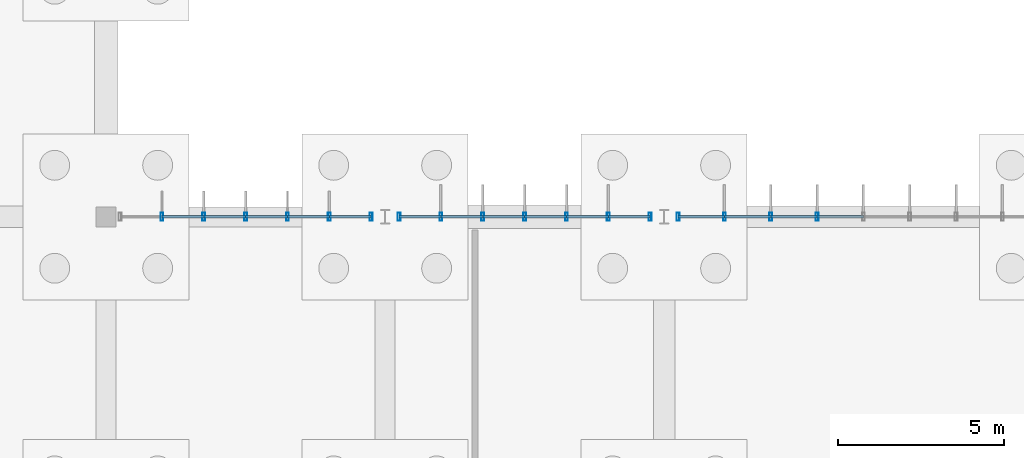
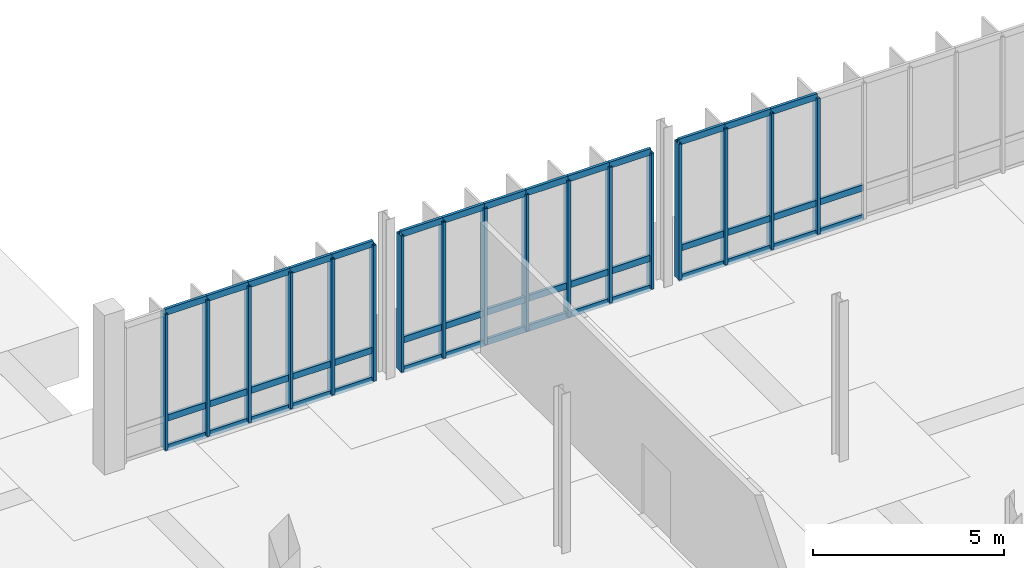
# One storey, part 62 of 119: 61 members, 3 elements without a shape of their own.
"""IFC4 building model written with IfcOpenShell, lengths in metres."""

from ifc_helpers import new_model, si_unit, derived_unit, direction, frame, origin, origin_2d, place, context, subcontext, project, spatial, hollow_rectangle, extrude, material, layer, layer_set, material_profile, profile_set, type_object, element, aggregate, save


model = new_model("IFC4")

# Units and contexts
model_context = context("Model", 3, precision=1e-05, world=origin(), true_north=direction((0.0, 1.0)))
body_context = subcontext(model_context, "Body", "Model", "MODEL_VIEW")
ifc_project = project(units=[si_unit("LENGTHUNIT", "METRE"), si_unit("AREAUNIT", "SQUARE_METRE"), si_unit("VOLUMEUNIT", "CUBIC_METRE"), si_unit("PLANEANGLEUNIT", "RADIAN"), si_unit("MASSUNIT", "GRAM", prefix="KILO"), derived_unit("THERMALTRANSMITTANCEUNIT", [(si_unit("MASSUNIT", "GRAM", prefix="KILO"), 1), (si_unit("TIMEUNIT", "SECOND"), -3), (si_unit("THERMODYNAMICTEMPERATUREUNIT", "KELVIN"), -1)])], contexts=[model_context])

# Site, building, storey
site_placement = place(None, origin())
site = spatial("IfcSite", under=ifc_project, at=site_placement, CompositionType="ELEMENT")
building_placement = place(site_placement, origin())
building = spatial("IfcBuilding", under=site, at=building_placement, Name="Makaiwela Harbour Ferry Terminal", CompositionType="ELEMENT")
storey_placement = place(building_placement, origin())
storey = spatial("IfcBuildingStorey", under=building, at=storey_placement, Name="L00", CompositionType="ELEMENT", Elevation=0.0)

# Curtain wall, members
ifc_material = material(Name="Marine anodised aluminium 6063-T6", Category="aluminium")
ifc_layer_1 = layer(ifc_material, 0.199951171875)
ifc_layer_set_1 = layer_set([ifc_layer_1], Name="Marine anodised aluminium 6063-T6")
curtain_wall_type_1 = type_object("IfcCurtainWallType", Name="ENV-CW-10", PredefinedType="USERDEFINED", material=ifc_layer_set_1)
curtain_wall_1_placement = place(storey_placement, origin())
curtain_wall_1 = element("IfcCurtainWall", 1, at=curtain_wall_1_placement, inside=storey, type_object=curtain_wall_type_1, Name="Unitised Curtain Wall CWA-120", ObjectType="UNITIZED CURTAIN WALL", PredefinedType="USERDEFINED")
ifc_material_profile_1 = material_profile(ifc_material, hollow_rectangle(XDim=0.0849609375, YDim=0.25, WallThickness=0.0048828125, at=origin_2d()), Name="CWM-250X85")
ifc_profile_set_1 = profile_set([ifc_material_profile_1], Name="Marine anodised aluminium 6063-T6")
member_type_1 = type_object("IfcMemberType", Name="CW-MUL-250", PredefinedType="MULLION", material=ifc_profile_set_1)
member_1_placement = place(storey_placement, frame((140.280029296875, 95.0, 0.0), z_axis=(0.0, 0.0, 1.0), x_axis=(1.0, 0.0, 0.0)))
member_1 = element("IfcMember", 2, at=member_1_placement, type_object=member_type_1, Name="Curtain Wall Mullion CWA-120-2", PredefinedType="MULLION", context=body_context, shape_type="SweptSolid", body=[
    extrude(hollow_rectangle(XDim=0.0849609375, YDim=0.25, WallThickness=0.0048828125, at=origin_2d()), origin(), (0.0, 0.0, 1.0), 4.35009765625),
])
member_2_placement = place(storey_placement, frame((141.5400390625, 95.0, 0.0), z_axis=(0.0, 0.0, 1.0), x_axis=(1.0, 0.0, 0.0)))
member_2 = element("IfcMember", 3, at=member_2_placement, type_object=member_type_1, Name="Curtain Wall Mullion CWA-120-3", PredefinedType="MULLION", context=body_context, shape_type="SweptSolid", body=[
    extrude(hollow_rectangle(XDim=0.0849609375, YDim=0.25, WallThickness=0.0048828125, at=origin_2d()), origin(), (0.0, 0.0, 1.0), 4.35009765625),
])
member_3_placement = place(storey_placement, frame((142.800048828125, 95.0, 0.0), z_axis=(0.0, 0.0, 1.0), x_axis=(1.0, 0.0, 0.0)))
member_3 = element("IfcMember", 4, at=member_3_placement, type_object=member_type_1, Name="Curtain Wall Mullion CWA-120-4", PredefinedType="MULLION", context=body_context, shape_type="SweptSolid", body=[
    extrude(hollow_rectangle(XDim=0.0849609375, YDim=0.25, WallThickness=0.0048828125, at=origin_2d()), origin(), (0.0, 0.0, 1.0), 4.35009765625),
])
member_4_placement = place(storey_placement, frame((144.06005859375, 95.0, 0.0), z_axis=(0.0, 0.0, 1.0), x_axis=(1.0, 0.0, 0.0)))
member_4 = element("IfcMember", 5, at=member_4_placement, type_object=member_type_1, Name="Curtain Wall Mullion CWA-120-5", PredefinedType="MULLION", context=body_context, shape_type="SweptSolid", body=[
    extrude(hollow_rectangle(XDim=0.0849609375, YDim=0.25, WallThickness=0.0048828125, at=origin_2d()), origin(), (0.0, 0.0, 1.0), 4.35009765625),
])
member_5_placement = place(storey_placement, frame((145.320068359375, 95.0, 0.0), z_axis=(0.0, 0.0, 1.0), x_axis=(1.0, 0.0, 0.0)))
member_5 = element("IfcMember", 6, at=member_5_placement, type_object=member_type_1, Name="Curtain Wall Mullion CWA-120-6", PredefinedType="MULLION", context=body_context, shape_type="SweptSolid", body=[
    extrude(hollow_rectangle(XDim=0.0849609375, YDim=0.25, WallThickness=0.0048828125, at=origin_2d()), origin(), (0.0, 0.0, 1.0), 4.35009765625),
])
member_6_placement = place(storey_placement, frame((146.580078125, 95.0, 0.0), z_axis=(0.0, 0.0, 1.0), x_axis=(1.0, 0.0, 0.0)))
member_6 = element("IfcMember", 7, at=member_6_placement, type_object=member_type_1, Name="Curtain Wall Mullion CWA-120-7", PredefinedType="MULLION", context=body_context, shape_type="SweptSolid", body=[
    extrude(hollow_rectangle(XDim=0.0849609375, YDim=0.25, WallThickness=0.0048828125, at=origin_2d()), origin(), (0.0, 0.0, 1.0), 4.35009765625),
])

curtain_wall_2_placement = place(storey_placement, origin())
curtain_wall_2 = element("IfcCurtainWall", 8, at=curtain_wall_2_placement, inside=storey, type_object=curtain_wall_type_1, Name="Unitised Curtain Wall CWA-124", ObjectType="UNITIZED CURTAIN WALL", PredefinedType="USERDEFINED")
member_7_placement = place(storey_placement, frame((147.419921875, 95.0, 0.0), z_axis=(0.0, 0.0, 1.0), x_axis=(1.0, 0.0, 0.0)))
member_7 = element("IfcMember", 9, at=member_7_placement, type_object=member_type_1, Name="Curtain Wall Mullion CWA-124-1", PredefinedType="MULLION", context=body_context, shape_type="SweptSolid", body=[
    extrude(hollow_rectangle(XDim=0.0849609375, YDim=0.25, WallThickness=0.0048828125, at=origin_2d()), origin(), (0.0, 0.0, 1.0), 4.35009765625),
])
member_8_placement = place(storey_placement, frame((148.679931640625, 95.0, 0.0), z_axis=(0.0, 0.0, 1.0), x_axis=(1.0, 0.0, 0.0)))
member_8 = element("IfcMember", 10, at=member_8_placement, type_object=member_type_1, Name="Curtain Wall Mullion CWA-124-2", PredefinedType="MULLION", context=body_context, shape_type="SweptSolid", body=[
    extrude(hollow_rectangle(XDim=0.0849609375, YDim=0.25, WallThickness=0.0048828125, at=origin_2d()), origin(), (0.0, 0.0, 1.0), 4.35009765625),
])
member_9_placement = place(storey_placement, frame((149.93994140625, 95.0, 0.0), z_axis=(0.0, 0.0, 1.0), x_axis=(1.0, 0.0, 0.0)))
member_9 = element("IfcMember", 11, at=member_9_placement, type_object=member_type_1, Name="Curtain Wall Mullion CWA-124-3", PredefinedType="MULLION", context=body_context, shape_type="SweptSolid", body=[
    extrude(hollow_rectangle(XDim=0.0849609375, YDim=0.25, WallThickness=0.0048828125, at=origin_2d()), origin(), (0.0, 0.0, 1.0), 4.35009765625),
])
member_10_placement = place(storey_placement, frame((151.199951171875, 95.0, 0.0), z_axis=(0.0, 0.0, 1.0), x_axis=(1.0, 0.0, 0.0)))
member_10 = element("IfcMember", 12, at=member_10_placement, type_object=member_type_1, Name="Curtain Wall Mullion CWA-124-4", PredefinedType="MULLION", context=body_context, shape_type="SweptSolid", body=[
    extrude(hollow_rectangle(XDim=0.0849609375, YDim=0.25, WallThickness=0.0048828125, at=origin_2d()), origin(), (0.0, 0.0, 1.0), 4.35009765625),
])
member_11_placement = place(storey_placement, frame((152.4599609375, 95.0, 0.0), z_axis=(0.0, 0.0, 1.0), x_axis=(1.0, 0.0, 0.0)))
member_11 = element("IfcMember", 13, at=member_11_placement, type_object=member_type_1, Name="Curtain Wall Mullion CWA-124-5", PredefinedType="MULLION", context=body_context, shape_type="SweptSolid", body=[
    extrude(hollow_rectangle(XDim=0.0849609375, YDim=0.25, WallThickness=0.0048828125, at=origin_2d()), origin(), (0.0, 0.0, 1.0), 4.35009765625),
])
member_12_placement = place(storey_placement, frame((153.719970703125, 95.0, 0.0), z_axis=(0.0, 0.0, 1.0), x_axis=(1.0, 0.0, 0.0)))
member_12 = element("IfcMember", 14, at=member_12_placement, type_object=member_type_1, Name="Curtain Wall Mullion CWA-124-6", PredefinedType="MULLION", context=body_context, shape_type="SweptSolid", body=[
    extrude(hollow_rectangle(XDim=0.0849609375, YDim=0.25, WallThickness=0.0048828125, at=origin_2d()), origin(), (0.0, 0.0, 1.0), 4.35009765625),
])
member_13_placement = place(storey_placement, frame((154.97998046875, 95.0, 0.0), z_axis=(0.0, 0.0, 1.0), x_axis=(1.0, 0.0, 0.0)))
member_13 = element("IfcMember", 15, at=member_13_placement, type_object=member_type_1, Name="Curtain Wall Mullion CWA-124-7", PredefinedType="MULLION", context=body_context, shape_type="SweptSolid", body=[
    extrude(hollow_rectangle(XDim=0.0849609375, YDim=0.25, WallThickness=0.0048828125, at=origin_2d()), origin(), (0.0, 0.0, 1.0), 4.35009765625),
])

ifc_layer_2 = layer(ifc_material, 0.199951171875)
ifc_layer_set_2 = layer_set([ifc_layer_2], Name="Marine anodised aluminium 6063-T6")
curtain_wall_type_2 = type_object("IfcCurtainWallType", Name="ENV-CW-16", PredefinedType="USERDEFINED", material=ifc_layer_set_2)
curtain_wall_3_placement = place(storey_placement, origin())
curtain_wall_3 = element("IfcCurtainWall", 16, at=curtain_wall_3_placement, inside=storey, type_object=curtain_wall_type_2, Name="Unitised Curtain Wall CWA-128", ObjectType="UNITIZED CURTAIN WALL", PredefinedType="USERDEFINED")
member_14_placement = place(storey_placement, frame((155.820068359375, 95.0, 0.0), z_axis=(0.0, 0.0, 1.0), x_axis=(1.0, 0.0, 0.0)))
member_14 = element("IfcMember", 17, at=member_14_placement, type_object=member_type_1, Name="Curtain Wall Mullion CWA-128-1", PredefinedType="MULLION", context=body_context, shape_type="SweptSolid", body=[
    extrude(hollow_rectangle(XDim=0.0849609375, YDim=0.25, WallThickness=0.0048828125, at=origin_2d()), origin(), (0.0, 0.0, 1.0), 4.35009765625),
])
member_15_placement = place(storey_placement, frame((157.215087890625, 95.0, 0.0), z_axis=(0.0, 0.0, 1.0), x_axis=(1.0, 0.0, 0.0)))
member_15 = element("IfcMember", 18, at=member_15_placement, type_object=member_type_1, Name="Curtain Wall Mullion CWA-128-2", PredefinedType="MULLION", context=body_context, shape_type="SweptSolid", body=[
    extrude(hollow_rectangle(XDim=0.0849609375, YDim=0.25, WallThickness=0.0048828125, at=origin_2d()), origin(), (0.0, 0.0, 1.0), 4.35009765625),
])
member_16_placement = place(storey_placement, frame((158.610107421875, 95.0, 0.0), z_axis=(0.0, 0.0, 1.0), x_axis=(1.0, 0.0, 0.0)))
member_16 = element("IfcMember", 19, at=member_16_placement, type_object=member_type_1, Name="Curtain Wall Mullion CWA-128-3", PredefinedType="MULLION", context=body_context, shape_type="SweptSolid", body=[
    extrude(hollow_rectangle(XDim=0.0849609375, YDim=0.25, WallThickness=0.0048828125, at=origin_2d()), origin(), (0.0, 0.0, 1.0), 4.35009765625),
])
member_17_placement = place(storey_placement, frame((160.0048828125, 95.0, 0.0), z_axis=(0.0, 0.0, 1.0), x_axis=(1.0, 0.0, 0.0)))
member_17 = element("IfcMember", 20, at=member_17_placement, type_object=member_type_1, Name="Curtain Wall Mullion CWA-128-4", PredefinedType="MULLION", context=body_context, shape_type="SweptSolid", body=[
    extrude(hollow_rectangle(XDim=0.0849609375, YDim=0.25, WallThickness=0.0048828125, at=origin_2d()), origin(), (0.0, 0.0, 1.0), 4.35009765625),
])

# Member
ifc_material_profile_2 = material_profile(ifc_material, hollow_rectangle(XDim=0.0849609375, YDim=0.199951171875, WallThickness=0.0048828125, at=origin_2d()), Name="CWT-200X85")
ifc_profile_set_2 = profile_set([ifc_material_profile_2], Name="Marine anodised aluminium 6063-T6")
member_type_2 = type_object("IfcMemberType", Name="CW-TRN-200", PredefinedType="USERDEFINED", material=ifc_profile_set_2)
member_18_placement = place(storey_placement, frame((140.280029296875, 95.0, 0.0), z_axis=(1.0, 0.0, 0.0), x_axis=(0.0, 1.0, 0.0)))
member_18 = element("IfcMember", 21, at=member_18_placement, type_object=member_type_2, Name="Curtain Wall Transom CWA-120-2-1", ObjectType="TRANSOM", PredefinedType="USERDEFINED", context=body_context, shape_type="SweptSolid", body=[
    extrude(hollow_rectangle(XDim=0.0849609375, YDim=0.199951171875, WallThickness=0.0048828125, at=origin_2d()), origin(), (0.0, 0.0, 1.0), 1.260009765625),
])

member_19_placement = place(storey_placement, frame((140.280029296875, 95.0, 0.949951171875), z_axis=(1.0, 0.0, 0.0), x_axis=(0.0, 1.0, 0.0)))
member_19 = element("IfcMember", 22, at=member_19_placement, type_object=member_type_2, Name="Curtain Wall Transom CWA-120-2-2", ObjectType="TRANSOM", PredefinedType="USERDEFINED", context=body_context, shape_type="SweptSolid", body=[
    extrude(hollow_rectangle(XDim=0.0849609375, YDim=0.199951171875, WallThickness=0.0048828125, at=origin_2d()), origin(), (0.0, 0.0, 1.0), 1.260009765625),
])

member_20_placement = place(storey_placement, frame((140.280029296875, 95.0, 4.35009765625), z_axis=(1.0, 0.0, 0.0), x_axis=(0.0, 1.0, 0.0)))
member_20 = element("IfcMember", 23, at=member_20_placement, type_object=member_type_2, Name="Curtain Wall Transom CWA-120-2-3", ObjectType="TRANSOM", PredefinedType="USERDEFINED", context=body_context, shape_type="SweptSolid", body=[
    extrude(hollow_rectangle(XDim=0.0849609375, YDim=0.199951171875, WallThickness=0.0048828125, at=origin_2d()), origin(), (0.0, 0.0, 1.0), 1.260009765625),
])

member_21_placement = place(storey_placement, frame((141.5400390625, 95.0, 0.0), z_axis=(1.0, 0.0, 0.0), x_axis=(0.0, 1.0, 0.0)))
member_21 = element("IfcMember", 24, at=member_21_placement, type_object=member_type_2, Name="Curtain Wall Transom CWA-120-3-1", ObjectType="TRANSOM", PredefinedType="USERDEFINED", context=body_context, shape_type="SweptSolid", body=[
    extrude(hollow_rectangle(XDim=0.0849609375, YDim=0.199951171875, WallThickness=0.0048828125, at=origin_2d()), origin(), (0.0, 0.0, 1.0), 1.260009765625),
])

member_22_placement = place(storey_placement, frame((141.5400390625, 95.0, 0.949951171875), z_axis=(1.0, 0.0, 0.0), x_axis=(0.0, 1.0, 0.0)))
member_22 = element("IfcMember", 25, at=member_22_placement, type_object=member_type_2, Name="Curtain Wall Transom CWA-120-3-2", ObjectType="TRANSOM", PredefinedType="USERDEFINED", context=body_context, shape_type="SweptSolid", body=[
    extrude(hollow_rectangle(XDim=0.0849609375, YDim=0.199951171875, WallThickness=0.0048828125, at=origin_2d()), origin(), (0.0, 0.0, 1.0), 1.260009765625),
])

member_23_placement = place(storey_placement, frame((141.5400390625, 95.0, 4.35009765625), z_axis=(1.0, 0.0, 0.0), x_axis=(0.0, 1.0, 0.0)))
member_23 = element("IfcMember", 26, at=member_23_placement, type_object=member_type_2, Name="Curtain Wall Transom CWA-120-3-3", ObjectType="TRANSOM", PredefinedType="USERDEFINED", context=body_context, shape_type="SweptSolid", body=[
    extrude(hollow_rectangle(XDim=0.0849609375, YDim=0.199951171875, WallThickness=0.0048828125, at=origin_2d()), origin(), (0.0, 0.0, 1.0), 1.260009765625),
])

member_24_placement = place(storey_placement, frame((142.800048828125, 95.0, 0.0), z_axis=(1.0, 0.0, 0.0), x_axis=(0.0, 1.0, 0.0)))
member_24 = element("IfcMember", 27, at=member_24_placement, type_object=member_type_2, Name="Curtain Wall Transom CWA-120-4-1", ObjectType="TRANSOM", PredefinedType="USERDEFINED", context=body_context, shape_type="SweptSolid", body=[
    extrude(hollow_rectangle(XDim=0.0849609375, YDim=0.199951171875, WallThickness=0.0048828125, at=origin_2d()), origin(), (0.0, 0.0, 1.0), 1.260009765625),
])

member_25_placement = place(storey_placement, frame((142.800048828125, 95.0, 0.949951171875), z_axis=(1.0, 0.0, 0.0), x_axis=(0.0, 1.0, 0.0)))
member_25 = element("IfcMember", 28, at=member_25_placement, type_object=member_type_2, Name="Curtain Wall Transom CWA-120-4-2", ObjectType="TRANSOM", PredefinedType="USERDEFINED", context=body_context, shape_type="SweptSolid", body=[
    extrude(hollow_rectangle(XDim=0.0849609375, YDim=0.199951171875, WallThickness=0.0048828125, at=origin_2d()), origin(), (0.0, 0.0, 1.0), 1.260009765625),
])

member_26_placement = place(storey_placement, frame((142.800048828125, 95.0, 4.35009765625), z_axis=(1.0, 0.0, 0.0), x_axis=(0.0, 1.0, 0.0)))
member_26 = element("IfcMember", 29, at=member_26_placement, type_object=member_type_2, Name="Curtain Wall Transom CWA-120-4-3", ObjectType="TRANSOM", PredefinedType="USERDEFINED", context=body_context, shape_type="SweptSolid", body=[
    extrude(hollow_rectangle(XDim=0.0849609375, YDim=0.199951171875, WallThickness=0.0048828125, at=origin_2d()), origin(), (0.0, 0.0, 1.0), 1.260009765625),
])

member_27_placement = place(storey_placement, frame((144.06005859375, 95.0, 0.0), z_axis=(1.0, 0.0, 0.0), x_axis=(0.0, 1.0, 0.0)))
member_27 = element("IfcMember", 30, at=member_27_placement, type_object=member_type_2, Name="Curtain Wall Transom CWA-120-5-1", ObjectType="TRANSOM", PredefinedType="USERDEFINED", context=body_context, shape_type="SweptSolid", body=[
    extrude(hollow_rectangle(XDim=0.0849609375, YDim=0.199951171875, WallThickness=0.0048828125, at=origin_2d()), origin(), (0.0, 0.0, 1.0), 1.260009765625),
])

member_28_placement = place(storey_placement, frame((144.06005859375, 95.0, 0.949951171875), z_axis=(1.0, 0.0, 0.0), x_axis=(0.0, 1.0, 0.0)))
member_28 = element("IfcMember", 31, at=member_28_placement, type_object=member_type_2, Name="Curtain Wall Transom CWA-120-5-2", ObjectType="TRANSOM", PredefinedType="USERDEFINED", context=body_context, shape_type="SweptSolid", body=[
    extrude(hollow_rectangle(XDim=0.0849609375, YDim=0.199951171875, WallThickness=0.0048828125, at=origin_2d()), origin(), (0.0, 0.0, 1.0), 1.260009765625),
])

member_29_placement = place(storey_placement, frame((144.06005859375, 95.0, 4.35009765625), z_axis=(1.0, 0.0, 0.0), x_axis=(0.0, 1.0, 0.0)))
member_29 = element("IfcMember", 32, at=member_29_placement, type_object=member_type_2, Name="Curtain Wall Transom CWA-120-5-3", ObjectType="TRANSOM", PredefinedType="USERDEFINED", context=body_context, shape_type="SweptSolid", body=[
    extrude(hollow_rectangle(XDim=0.0849609375, YDim=0.199951171875, WallThickness=0.0048828125, at=origin_2d()), origin(), (0.0, 0.0, 1.0), 1.260009765625),
])

member_30_placement = place(storey_placement, frame((145.320068359375, 95.0, 0.0), z_axis=(1.0, 0.0, 0.0), x_axis=(0.0, 1.0, 0.0)))
member_30 = element("IfcMember", 33, at=member_30_placement, type_object=member_type_2, Name="Curtain Wall Transom CWA-120-6-1", ObjectType="TRANSOM", PredefinedType="USERDEFINED", context=body_context, shape_type="SweptSolid", body=[
    extrude(hollow_rectangle(XDim=0.0849609375, YDim=0.199951171875, WallThickness=0.0048828125, at=origin_2d()), origin(), (0.0, 0.0, 1.0), 1.260009765625),
])

member_31_placement = place(storey_placement, frame((145.320068359375, 95.0, 0.949951171875), z_axis=(1.0, 0.0, 0.0), x_axis=(0.0, 1.0, 0.0)))
member_31 = element("IfcMember", 34, at=member_31_placement, type_object=member_type_2, Name="Curtain Wall Transom CWA-120-6-2", ObjectType="TRANSOM", PredefinedType="USERDEFINED", context=body_context, shape_type="SweptSolid", body=[
    extrude(hollow_rectangle(XDim=0.0849609375, YDim=0.199951171875, WallThickness=0.0048828125, at=origin_2d()), origin(), (0.0, 0.0, 1.0), 1.260009765625),
])

member_32_placement = place(storey_placement, frame((145.320068359375, 95.0, 4.35009765625), z_axis=(1.0, 0.0, 0.0), x_axis=(0.0, 1.0, 0.0)))
member_32 = element("IfcMember", 35, at=member_32_placement, type_object=member_type_2, Name="Curtain Wall Transom CWA-120-6-3", ObjectType="TRANSOM", PredefinedType="USERDEFINED", context=body_context, shape_type="SweptSolid", body=[
    extrude(hollow_rectangle(XDim=0.0849609375, YDim=0.199951171875, WallThickness=0.0048828125, at=origin_2d()), origin(), (0.0, 0.0, 1.0), 1.260009765625),
])

aggregate(curtain_wall_1, [member_1, member_2, member_3, member_4, member_5, member_6, member_18, member_19, member_20, member_21, member_22, member_23, member_24, member_25, member_26, member_27, member_28, member_29, member_30, member_31, member_32])

member_33_placement = place(storey_placement, frame((147.419921875, 95.0, 0.0), z_axis=(1.0, 0.0, 0.0), x_axis=(0.0, 1.0, 0.0)))
member_33 = element("IfcMember", 36, at=member_33_placement, type_object=member_type_2, Name="Curtain Wall Transom CWA-124-1-1", ObjectType="TRANSOM", PredefinedType="USERDEFINED", context=body_context, shape_type="SweptSolid", body=[
    extrude(hollow_rectangle(XDim=0.0849609375, YDim=0.199951171875, WallThickness=0.0048828125, at=origin_2d()), origin(), (0.0, 0.0, 1.0), 1.260009765625),
])

member_34_placement = place(storey_placement, frame((147.419921875, 95.0, 0.949951171875), z_axis=(1.0, 0.0, 0.0), x_axis=(0.0, 1.0, 0.0)))
member_34 = element("IfcMember", 37, at=member_34_placement, type_object=member_type_2, Name="Curtain Wall Transom CWA-124-1-2", ObjectType="TRANSOM", PredefinedType="USERDEFINED", context=body_context, shape_type="SweptSolid", body=[
    extrude(hollow_rectangle(XDim=0.0849609375, YDim=0.199951171875, WallThickness=0.0048828125, at=origin_2d()), origin(), (0.0, 0.0, 1.0), 1.260009765625),
])

member_35_placement = place(storey_placement, frame((147.419921875, 95.0, 4.35009765625), z_axis=(1.0, 0.0, 0.0), x_axis=(0.0, 1.0, 0.0)))
member_35 = element("IfcMember", 38, at=member_35_placement, type_object=member_type_2, Name="Curtain Wall Transom CWA-124-1-3", ObjectType="TRANSOM", PredefinedType="USERDEFINED", context=body_context, shape_type="SweptSolid", body=[
    extrude(hollow_rectangle(XDim=0.0849609375, YDim=0.199951171875, WallThickness=0.0048828125, at=origin_2d()), origin(), (0.0, 0.0, 1.0), 1.260009765625),
])

member_36_placement = place(storey_placement, frame((148.679931640625, 95.0, 0.0), z_axis=(1.0, 0.0, 0.0), x_axis=(0.0, 1.0, 0.0)))
member_36 = element("IfcMember", 39, at=member_36_placement, type_object=member_type_2, Name="Curtain Wall Transom CWA-124-2-1", ObjectType="TRANSOM", PredefinedType="USERDEFINED", context=body_context, shape_type="SweptSolid", body=[
    extrude(hollow_rectangle(XDim=0.0849609375, YDim=0.199951171875, WallThickness=0.0048828125, at=origin_2d()), origin(), (0.0, 0.0, 1.0), 1.260009765625),
])

member_37_placement = place(storey_placement, frame((148.679931640625, 95.0, 0.949951171875), z_axis=(1.0, 0.0, 0.0), x_axis=(0.0, 1.0, 0.0)))
member_37 = element("IfcMember", 40, at=member_37_placement, type_object=member_type_2, Name="Curtain Wall Transom CWA-124-2-2", ObjectType="TRANSOM", PredefinedType="USERDEFINED", context=body_context, shape_type="SweptSolid", body=[
    extrude(hollow_rectangle(XDim=0.0849609375, YDim=0.199951171875, WallThickness=0.0048828125, at=origin_2d()), origin(), (0.0, 0.0, 1.0), 1.260009765625),
])

member_38_placement = place(storey_placement, frame((148.679931640625, 95.0, 4.35009765625), z_axis=(1.0, 0.0, 0.0), x_axis=(0.0, 1.0, 0.0)))
member_38 = element("IfcMember", 41, at=member_38_placement, type_object=member_type_2, Name="Curtain Wall Transom CWA-124-2-3", ObjectType="TRANSOM", PredefinedType="USERDEFINED", context=body_context, shape_type="SweptSolid", body=[
    extrude(hollow_rectangle(XDim=0.0849609375, YDim=0.199951171875, WallThickness=0.0048828125, at=origin_2d()), origin(), (0.0, 0.0, 1.0), 1.260009765625),
])

member_39_placement = place(storey_placement, frame((149.93994140625, 95.0, 0.0), z_axis=(1.0, 0.0, 0.0), x_axis=(0.0, 1.0, 0.0)))
member_39 = element("IfcMember", 42, at=member_39_placement, type_object=member_type_2, Name="Curtain Wall Transom CWA-124-3-1", ObjectType="TRANSOM", PredefinedType="USERDEFINED", context=body_context, shape_type="SweptSolid", body=[
    extrude(hollow_rectangle(XDim=0.0849609375, YDim=0.199951171875, WallThickness=0.0048828125, at=origin_2d()), origin(), (0.0, 0.0, 1.0), 1.260009765625),
])

member_40_placement = place(storey_placement, frame((149.93994140625, 95.0, 0.949951171875), z_axis=(1.0, 0.0, 0.0), x_axis=(0.0, 1.0, 0.0)))
member_40 = element("IfcMember", 43, at=member_40_placement, type_object=member_type_2, Name="Curtain Wall Transom CWA-124-3-2", ObjectType="TRANSOM", PredefinedType="USERDEFINED", context=body_context, shape_type="SweptSolid", body=[
    extrude(hollow_rectangle(XDim=0.0849609375, YDim=0.199951171875, WallThickness=0.0048828125, at=origin_2d()), origin(), (0.0, 0.0, 1.0), 1.260009765625),
])

member_41_placement = place(storey_placement, frame((149.93994140625, 95.0, 4.35009765625), z_axis=(1.0, 0.0, 0.0), x_axis=(0.0, 1.0, 0.0)))
member_41 = element("IfcMember", 44, at=member_41_placement, type_object=member_type_2, Name="Curtain Wall Transom CWA-124-3-3", ObjectType="TRANSOM", PredefinedType="USERDEFINED", context=body_context, shape_type="SweptSolid", body=[
    extrude(hollow_rectangle(XDim=0.0849609375, YDim=0.199951171875, WallThickness=0.0048828125, at=origin_2d()), origin(), (0.0, 0.0, 1.0), 1.260009765625),
])

member_42_placement = place(storey_placement, frame((151.199951171875, 95.0, 0.0), z_axis=(1.0, 0.0, 0.0), x_axis=(0.0, 1.0, 0.0)))
member_42 = element("IfcMember", 45, at=member_42_placement, type_object=member_type_2, Name="Curtain Wall Transom CWA-124-4-1", ObjectType="TRANSOM", PredefinedType="USERDEFINED", context=body_context, shape_type="SweptSolid", body=[
    extrude(hollow_rectangle(XDim=0.0849609375, YDim=0.199951171875, WallThickness=0.0048828125, at=origin_2d()), origin(), (0.0, 0.0, 1.0), 1.260009765625),
])

member_43_placement = place(storey_placement, frame((151.199951171875, 95.0, 0.949951171875), z_axis=(1.0, 0.0, 0.0), x_axis=(0.0, 1.0, 0.0)))
member_43 = element("IfcMember", 46, at=member_43_placement, type_object=member_type_2, Name="Curtain Wall Transom CWA-124-4-2", ObjectType="TRANSOM", PredefinedType="USERDEFINED", context=body_context, shape_type="SweptSolid", body=[
    extrude(hollow_rectangle(XDim=0.0849609375, YDim=0.199951171875, WallThickness=0.0048828125, at=origin_2d()), origin(), (0.0, 0.0, 1.0), 1.260009765625),
])

member_44_placement = place(storey_placement, frame((151.199951171875, 95.0, 4.35009765625), z_axis=(1.0, 0.0, 0.0), x_axis=(0.0, 1.0, 0.0)))
member_44 = element("IfcMember", 47, at=member_44_placement, type_object=member_type_2, Name="Curtain Wall Transom CWA-124-4-3", ObjectType="TRANSOM", PredefinedType="USERDEFINED", context=body_context, shape_type="SweptSolid", body=[
    extrude(hollow_rectangle(XDim=0.0849609375, YDim=0.199951171875, WallThickness=0.0048828125, at=origin_2d()), origin(), (0.0, 0.0, 1.0), 1.260009765625),
])

member_45_placement = place(storey_placement, frame((152.4599609375, 95.0, 0.0), z_axis=(1.0, 0.0, 0.0), x_axis=(0.0, 1.0, 0.0)))
member_45 = element("IfcMember", 48, at=member_45_placement, type_object=member_type_2, Name="Curtain Wall Transom CWA-124-5-1", ObjectType="TRANSOM", PredefinedType="USERDEFINED", context=body_context, shape_type="SweptSolid", body=[
    extrude(hollow_rectangle(XDim=0.0849609375, YDim=0.199951171875, WallThickness=0.0048828125, at=origin_2d()), origin(), (0.0, 0.0, 1.0), 1.260009765625),
])

member_46_placement = place(storey_placement, frame((152.4599609375, 95.0, 0.949951171875), z_axis=(1.0, 0.0, 0.0), x_axis=(0.0, 1.0, 0.0)))
member_46 = element("IfcMember", 49, at=member_46_placement, type_object=member_type_2, Name="Curtain Wall Transom CWA-124-5-2", ObjectType="TRANSOM", PredefinedType="USERDEFINED", context=body_context, shape_type="SweptSolid", body=[
    extrude(hollow_rectangle(XDim=0.0849609375, YDim=0.199951171875, WallThickness=0.0048828125, at=origin_2d()), origin(), (0.0, 0.0, 1.0), 1.260009765625),
])

member_47_placement = place(storey_placement, frame((152.4599609375, 95.0, 4.35009765625), z_axis=(1.0, 0.0, 0.0), x_axis=(0.0, 1.0, 0.0)))
member_47 = element("IfcMember", 50, at=member_47_placement, type_object=member_type_2, Name="Curtain Wall Transom CWA-124-5-3", ObjectType="TRANSOM", PredefinedType="USERDEFINED", context=body_context, shape_type="SweptSolid", body=[
    extrude(hollow_rectangle(XDim=0.0849609375, YDim=0.199951171875, WallThickness=0.0048828125, at=origin_2d()), origin(), (0.0, 0.0, 1.0), 1.260009765625),
])

member_48_placement = place(storey_placement, frame((153.719970703125, 95.0, 0.0), z_axis=(1.0, 0.0, 0.0), x_axis=(0.0, 1.0, 0.0)))
member_48 = element("IfcMember", 51, at=member_48_placement, type_object=member_type_2, Name="Curtain Wall Transom CWA-124-6-1", ObjectType="TRANSOM", PredefinedType="USERDEFINED", context=body_context, shape_type="SweptSolid", body=[
    extrude(hollow_rectangle(XDim=0.0849609375, YDim=0.199951171875, WallThickness=0.0048828125, at=origin_2d()), origin(), (0.0, 0.0, 1.0), 1.260009765625),
])

member_49_placement = place(storey_placement, frame((153.719970703125, 95.0, 0.949951171875), z_axis=(1.0, 0.0, 0.0), x_axis=(0.0, 1.0, 0.0)))
member_49 = element("IfcMember", 52, at=member_49_placement, type_object=member_type_2, Name="Curtain Wall Transom CWA-124-6-2", ObjectType="TRANSOM", PredefinedType="USERDEFINED", context=body_context, shape_type="SweptSolid", body=[
    extrude(hollow_rectangle(XDim=0.0849609375, YDim=0.199951171875, WallThickness=0.0048828125, at=origin_2d()), origin(), (0.0, 0.0, 1.0), 1.260009765625),
])

member_50_placement = place(storey_placement, frame((153.719970703125, 95.0, 4.35009765625), z_axis=(1.0, 0.0, 0.0), x_axis=(0.0, 1.0, 0.0)))
member_50 = element("IfcMember", 53, at=member_50_placement, type_object=member_type_2, Name="Curtain Wall Transom CWA-124-6-3", ObjectType="TRANSOM", PredefinedType="USERDEFINED", context=body_context, shape_type="SweptSolid", body=[
    extrude(hollow_rectangle(XDim=0.0849609375, YDim=0.199951171875, WallThickness=0.0048828125, at=origin_2d()), origin(), (0.0, 0.0, 1.0), 1.260009765625),
])

aggregate(curtain_wall_2, [member_7, member_8, member_9, member_10, member_11, member_12, member_13, member_33, member_34, member_35, member_36, member_37, member_38, member_39, member_40, member_41, member_42, member_43, member_44, member_45, member_46, member_47, member_48, member_49, member_50])

member_51_placement = place(storey_placement, frame((155.820068359375, 95.0, 0.0), z_axis=(1.0, 0.0, 0.0), x_axis=(0.0, 1.0, 0.0)))
member_51 = element("IfcMember", 54, at=member_51_placement, type_object=member_type_2, Name="Curtain Wall Transom CWA-128-1-1", ObjectType="TRANSOM", PredefinedType="USERDEFINED", context=body_context, shape_type="SweptSolid", body=[
    extrude(hollow_rectangle(XDim=0.0849609375, YDim=0.199951171875, WallThickness=0.0048828125, at=origin_2d()), origin(), (0.0, 0.0, 1.0), 1.39501953125),
])

member_52_placement = place(storey_placement, frame((155.820068359375, 95.0, 0.949951171875), z_axis=(1.0, 0.0, 0.0), x_axis=(0.0, 1.0, 0.0)))
member_52 = element("IfcMember", 55, at=member_52_placement, type_object=member_type_2, Name="Curtain Wall Transom CWA-128-1-2", ObjectType="TRANSOM", PredefinedType="USERDEFINED", context=body_context, shape_type="SweptSolid", body=[
    extrude(hollow_rectangle(XDim=0.0849609375, YDim=0.199951171875, WallThickness=0.0048828125, at=origin_2d()), origin(), (0.0, 0.0, 1.0), 1.39501953125),
])

member_53_placement = place(storey_placement, frame((155.820068359375, 95.0, 4.35009765625), z_axis=(1.0, 0.0, 0.0), x_axis=(0.0, 1.0, 0.0)))
member_53 = element("IfcMember", 56, at=member_53_placement, type_object=member_type_2, Name="Curtain Wall Transom CWA-128-1-3", ObjectType="TRANSOM", PredefinedType="USERDEFINED", context=body_context, shape_type="SweptSolid", body=[
    extrude(hollow_rectangle(XDim=0.0849609375, YDim=0.199951171875, WallThickness=0.0048828125, at=origin_2d()), origin(), (0.0, 0.0, 1.0), 1.39501953125),
])

member_54_placement = place(storey_placement, frame((157.215087890625, 95.0, 0.0), z_axis=(1.0, 0.0, 0.0), x_axis=(0.0, 1.0, 0.0)))
member_54 = element("IfcMember", 57, at=member_54_placement, type_object=member_type_2, Name="Curtain Wall Transom CWA-128-2-1", ObjectType="TRANSOM", PredefinedType="USERDEFINED", context=body_context, shape_type="SweptSolid", body=[
    extrude(hollow_rectangle(XDim=0.0849609375, YDim=0.199951171875, WallThickness=0.0048828125, at=origin_2d()), origin(), (0.0, 0.0, 1.0), 1.39501953125),
])

member_55_placement = place(storey_placement, frame((157.215087890625, 95.0, 0.949951171875), z_axis=(1.0, 0.0, 0.0), x_axis=(0.0, 1.0, 0.0)))
member_55 = element("IfcMember", 58, at=member_55_placement, type_object=member_type_2, Name="Curtain Wall Transom CWA-128-2-2", ObjectType="TRANSOM", PredefinedType="USERDEFINED", context=body_context, shape_type="SweptSolid", body=[
    extrude(hollow_rectangle(XDim=0.0849609375, YDim=0.199951171875, WallThickness=0.0048828125, at=origin_2d()), origin(), (0.0, 0.0, 1.0), 1.39501953125),
])

member_56_placement = place(storey_placement, frame((157.215087890625, 95.0, 4.35009765625), z_axis=(1.0, 0.0, 0.0), x_axis=(0.0, 1.0, 0.0)))
member_56 = element("IfcMember", 59, at=member_56_placement, type_object=member_type_2, Name="Curtain Wall Transom CWA-128-2-3", ObjectType="TRANSOM", PredefinedType="USERDEFINED", context=body_context, shape_type="SweptSolid", body=[
    extrude(hollow_rectangle(XDim=0.0849609375, YDim=0.199951171875, WallThickness=0.0048828125, at=origin_2d()), origin(), (0.0, 0.0, 1.0), 1.39501953125),
])

member_57_placement = place(storey_placement, frame((158.610107421875, 95.0, 0.0), z_axis=(1.0, 0.0, 0.0), x_axis=(0.0, 1.0, 0.0)))
member_57 = element("IfcMember", 60, at=member_57_placement, type_object=member_type_2, Name="Curtain Wall Transom CWA-128-3-1", ObjectType="TRANSOM", PredefinedType="USERDEFINED", context=body_context, shape_type="SweptSolid", body=[
    extrude(hollow_rectangle(XDim=0.0849609375, YDim=0.199951171875, WallThickness=0.0048828125, at=origin_2d()), origin(), (0.0, 0.0, 1.0), 1.394775390625),
])

member_58_placement = place(storey_placement, frame((158.610107421875, 95.0, 0.949951171875), z_axis=(1.0, 0.0, 0.0), x_axis=(0.0, 1.0, 0.0)))
member_58 = element("IfcMember", 61, at=member_58_placement, type_object=member_type_2, Name="Curtain Wall Transom CWA-128-3-2", ObjectType="TRANSOM", PredefinedType="USERDEFINED", context=body_context, shape_type="SweptSolid", body=[
    extrude(hollow_rectangle(XDim=0.0849609375, YDim=0.199951171875, WallThickness=0.0048828125, at=origin_2d()), origin(), (0.0, 0.0, 1.0), 1.394775390625),
])

member_59_placement = place(storey_placement, frame((158.610107421875, 95.0, 4.35009765625), z_axis=(1.0, 0.0, 0.0), x_axis=(0.0, 1.0, 0.0)))
member_59 = element("IfcMember", 62, at=member_59_placement, type_object=member_type_2, Name="Curtain Wall Transom CWA-128-3-3", ObjectType="TRANSOM", PredefinedType="USERDEFINED", context=body_context, shape_type="SweptSolid", body=[
    extrude(hollow_rectangle(XDim=0.0849609375, YDim=0.199951171875, WallThickness=0.0048828125, at=origin_2d()), origin(), (0.0, 0.0, 1.0), 1.394775390625),
])

member_60_placement = place(storey_placement, frame((160.0048828125, 95.0, 0.0), z_axis=(1.0, 0.0, 0.0), x_axis=(0.0, 1.0, 0.0)))
member_60 = element("IfcMember", 63, at=member_60_placement, type_object=member_type_2, Name="Curtain Wall Transom CWA-128-4-1", ObjectType="TRANSOM", PredefinedType="USERDEFINED", context=body_context, shape_type="SweptSolid", body=[
    extrude(hollow_rectangle(XDim=0.0849609375, YDim=0.199951171875, WallThickness=0.0048828125, at=origin_2d()), origin(), (0.0, 0.0, 1.0), 1.39501953125),
])

member_61_placement = place(storey_placement, frame((160.0048828125, 95.0, 0.949951171875), z_axis=(1.0, 0.0, 0.0), x_axis=(0.0, 1.0, 0.0)))
member_61 = element("IfcMember", 64, at=member_61_placement, type_object=member_type_2, Name="Curtain Wall Transom CWA-128-4-2", ObjectType="TRANSOM", PredefinedType="USERDEFINED", context=body_context, shape_type="SweptSolid", body=[
    extrude(hollow_rectangle(XDim=0.0849609375, YDim=0.199951171875, WallThickness=0.0048828125, at=origin_2d()), origin(), (0.0, 0.0, 1.0), 1.39501953125),
])

aggregate(curtain_wall_3, [member_14, member_15, member_16, member_17, member_51, member_52, member_53, member_54, member_55, member_56, member_57, member_58, member_59, member_60, member_61])

save(model, "model.ifc")
